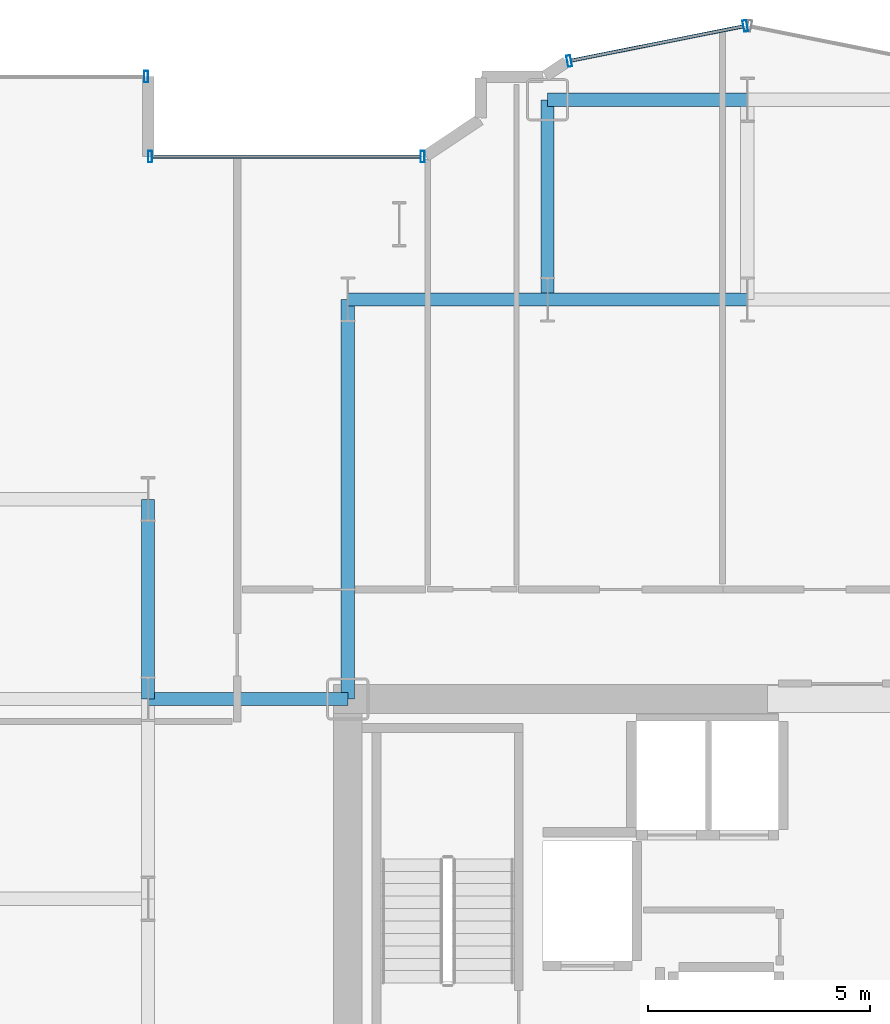
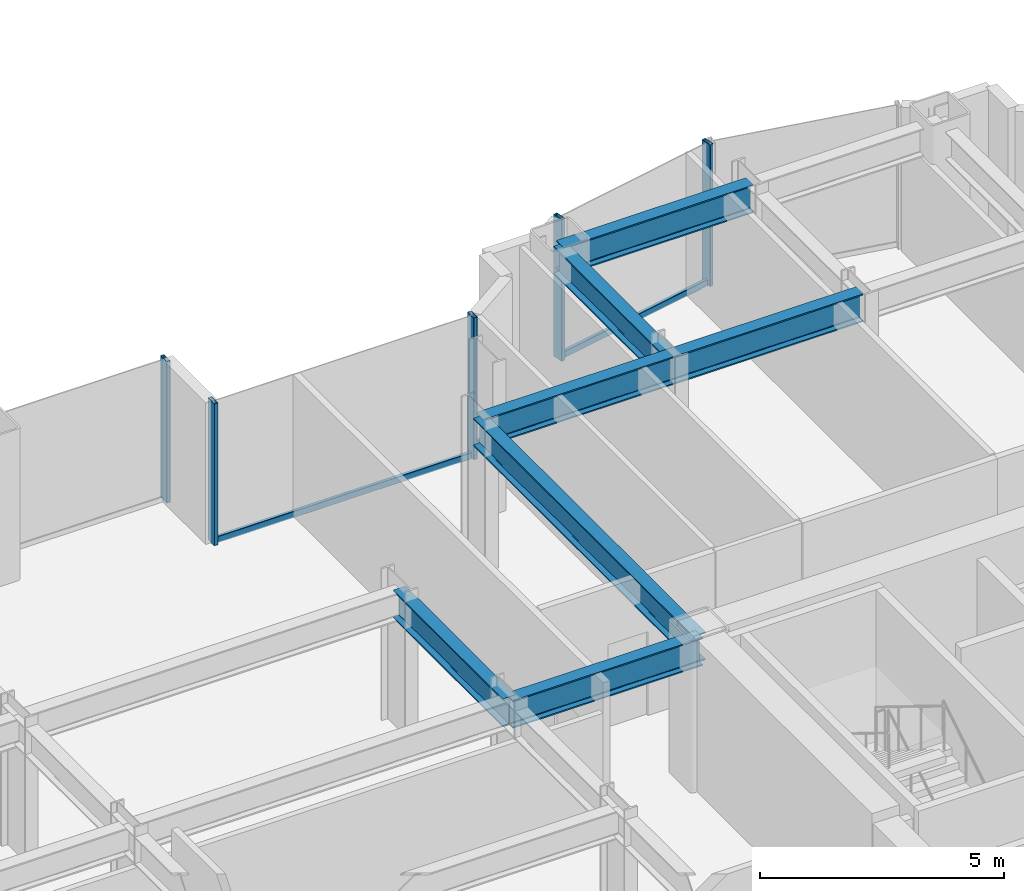
# One storey, part 10 of 26: 7 beams, 7 members, 3 elements without a shape of their own.
"""IFC4 building model written with IfcOpenShell, lengths in metres."""

from ifc_helpers import new_model, si_unit, direction, frame, origin, origin_2d, place, context, subcontext, project, spatial, hollow_rectangle, i_section, extrude, source, transform, mapped, material, layer, layer_set, material_profile, profile_set, type_object, element, aggregate, save


model = new_model("IFC4")

# Units and contexts
model_context = context("Model", 3, precision=1e-05, world=origin(), true_north=direction((0.0, 1.0)))
body_context = subcontext(model_context, "Body", "Model", "MODEL_VIEW")
ifc_project = project(units=[si_unit("LENGTHUNIT", "METRE"), si_unit("AREAUNIT", "SQUARE_METRE"), si_unit("VOLUMEUNIT", "CUBIC_METRE"), si_unit("PLANEANGLEUNIT", "RADIAN"), si_unit("MASSUNIT", "GRAM", prefix="KILO")], contexts=[model_context])

# Site, building, storey
site_placement = place(None, origin())
site = spatial("IfcSite", under=ifc_project, at=site_placement, CompositionType="ELEMENT")
building_placement = place(site_placement, origin())
building = spatial("IfcBuilding", under=site, at=building_placement, Name="Nefas-Gora Pilgrimage Tower", CompositionType="ELEMENT")
storey_placement = place(building_placement, frame((0.0, 0.0, 63.39990234375)))
storey = spatial("IfcBuildingStorey", under=building, at=storey_placement, Name="L14", CompositionType="ELEMENT", Elevation=63.39990234375)

# Beams
ifc_material_1 = material(Name="Steel S355", Category="steel")
ifc_material_profile_1 = material_profile(ifc_material_1, i_section(OverallWidth=0.300048828125, OverallDepth=0.699951171875, WebThickness=0.01708984375, FlangeThickness=0.031982421875, FilletRadius=0.027099609375, at=origin_2d()), Name="HEB 700")
ifc_profile_set_1 = profile_set([ifc_material_profile_1], Name="Steel S355")
beam_type = type_object("IfcBeamType", Name="BM-GIR-HEB700", PredefinedType="BEAM", material=ifc_profile_set_1)
shared_shape_1 = source(origin(), body_context, "Body", "SweptSolid", [
    extrude(i_section(OverallWidth=0.300048828125, OverallDepth=0.699951171875, WebThickness=0.01708984375, FlangeThickness=0.031982421875, FilletRadius=0.027099609375, at=origin_2d()), origin(), (0.0, 0.0, 1.0), 9.0),
])
beam_placement = place(storey_placement, frame((-11.25, 9.0, 3.2001953125), z_axis=(0.0, 1.0, 0.0), x_axis=(-1.0, 0.0, 0.0)))
element("IfcBeam", 1, at=beam_placement, inside=storey, type_object=beam_type, Name="L14 G-02 beam", PredefinedType="BEAM", context=body_context, shape_type="MappedRepresentation", body=[
    mapped(shared_shape_1, transform((0.0, 0.0, 0.0), x_axis=(1.0, 0.0, 0.0), y_axis=(0.0, 1.0, 0.0), z_axis=(0.0, 0.0, 1.0), scale=1.0)),
])
shared_shape_2 = source(origin(), body_context, "Body", "SweptSolid", [
    extrude(i_section(OverallWidth=0.300048828125, OverallDepth=0.699951171875, WebThickness=0.01708984375, FlangeThickness=0.031982421875, FilletRadius=0.027099609375, at=origin_2d()), origin(), (0.0, 0.0, 1.0), 4.5),
])
for number, where, z_axis, x_axis, name in (
    (2, (-15.75, 9.0, 3.2001953125), (0.0, 1.0, 0.0), (-1.0, 0.0, 0.0), "L14 G-02 beam"),
    (3, (-15.75, 9.0, 3.2001953125), (1.0, 0.0, 0.0), (0.0, 1.0, 0.0), "L14 G-02 beam"),
    (4, (-11.25, 18.0, 3.2001953125), (1.0, 0.0, 0.0), (0.0, 1.0, 0.0), "L14 G-02 beam"),
    (5, (-6.75, 18.0, 3.2001953125), (0.0, 1.0, 0.0), (-1.0, 0.0, 0.0), "L14 G-02 beam"),
    (6, (-6.75, 18.0, 3.2001953125), (1.0, 0.0, 0.0), (0.0, 1.0, 0.0), "L14 G-02 beam"),
    (7, (-6.75, 22.5, 3.2001953125), (1.0, 0.0, 0.0), (0.0, 1.0, 0.0), "L14 G-02 beam"),
):
    element("IfcBeam", number, at=place(storey_placement, frame(where, z_axis=z_axis, x_axis=x_axis)), inside=storey, type_object=beam_type, Name=name, PredefinedType="BEAM", context=body_context, shape_type="MappedRepresentation", body=[
        mapped(shared_shape_2, transform((0.0, 0.0, 0.0), x_axis=(1.0, 0.0, 0.0), y_axis=(0.0, 1.0, 0.0), z_axis=(0.0, 0.0, 1.0), scale=1.0)),
    ])

# Curtain wall, members
ifc_material_2 = material(Name="Dark ceramic-fritted solar-control aluminium-glass curtain wall", Category="aluminium")
ifc_layer_1 = layer(ifc_material_2, 0.219970703125)
ifc_layer_set_1 = layer_set([ifc_layer_1], Name="Dark ceramic-fritted solar-control aluminium-glass curtain wall")
curtain_wall_type_1 = type_object("IfcCurtainWallType", Name="CW-SYS-5", PredefinedType="NOTDEFINED", material=ifc_layer_set_1)
curtain_wall_1_placement = place(storey_placement, origin())
curtain_wall_1 = element("IfcCurtainWall", 8, at=curtain_wall_1_placement, inside=storey, type_object=curtain_wall_type_1, Name="L14 Unitised Curtain Wall CW5", PredefinedType="NOTDEFINED")
ifc_material_3 = material(Name="Anodised architectural aluminium", Category="aluminium")
ifc_material_profile_2 = material_profile(ifc_material_3, hollow_rectangle(XDim=0.090087890625, YDim=0.260009765625, WallThickness=0.006103515625, InnerFilletRadius=0.006103515625, OuterFilletRadius=0.011962890625, at=origin_2d()), Name="ALU MULLION 90x260")
ifc_profile_set_2 = profile_set([ifc_material_profile_2], Name="Anodised architectural aluminium")
member_type_1 = type_object("IfcMemberType", Name="CWM-MUL-5", PredefinedType="MULLION", material=ifc_profile_set_2)
shared_shape_3 = source(origin(), body_context, "Body", "SweptSolid", [
    extrude(hollow_rectangle(XDim=0.090087890625, YDim=0.260009765625, WallThickness=0.006103515625, InnerFilletRadius=0.006103515625, OuterFilletRadius=0.011962890625, at=origin_2d()), origin(), (0.0, 0.0, 1.0), 3.550048828125),
])
member_1_placement = place(storey_placement, frame((-2.294189453125, 24.16357421875, 0.0), z_axis=(0.0, 0.0, 1.0), x_axis=(-0.980782896852, -0.195102304554, 0.0)))
member_1 = element("IfcMember", 9, at=member_1_placement, type_object=member_type_1, Name="CW5 Mullion 1", PredefinedType="MULLION", context=body_context, shape_type="MappedRepresentation", body=[
    mapped(shared_shape_3, transform((0.0, 0.0, 0.0), x_axis=(1.0, 0.0, 0.0), y_axis=(0.0, 1.0, 0.0), z_axis=(0.0, 0.0, 1.0), scale=1.0)),
])
member_2_placement = place(storey_placement, frame((-6.26318359375, 23.3740234375, 0.0), z_axis=(0.0, 0.0, 1.0), x_axis=(-0.980782896852, -0.195102304554, 0.0)))
member_2 = element("IfcMember", 10, at=member_2_placement, type_object=member_type_1, Name="CW5 Mullion 2", PredefinedType="MULLION", context=body_context, shape_type="MappedRepresentation", body=[
    mapped(shared_shape_3, transform((0.0, 0.0, 0.0), x_axis=(1.0, 0.0, 0.0), y_axis=(0.0, 1.0, 0.0), z_axis=(0.0, 0.0, 1.0), scale=1.0)),
])

curtain_wall_2_placement = place(storey_placement, origin())
curtain_wall_2 = element("IfcCurtainWall", 11, at=curtain_wall_2_placement, inside=storey, type_object=curtain_wall_type_1, Name="L14 Unitised Curtain Wall CW5", PredefinedType="NOTDEFINED")
member_3_placement = place(storey_placement, frame((-9.56298828125, 21.219970703125, 0.0), z_axis=(0.0, 0.0, 1.0), x_axis=(-1.0, 0.0, 0.0)))
member_3 = element("IfcMember", 12, at=member_3_placement, type_object=member_type_1, Name="CW5 Mullion 1", PredefinedType="MULLION", context=body_context, shape_type="MappedRepresentation", body=[
    mapped(shared_shape_3, transform((0.0, 0.0, 0.0), x_axis=(1.0, 0.0, 0.0), y_axis=(0.0, 1.0, 0.0), z_axis=(0.0, 0.0, 1.0), scale=1.0)),
])
member_4_placement = place(storey_placement, frame((-15.705078125, 21.219970703125, 0.0), z_axis=(0.0, 0.0, 1.0), x_axis=(-1.0, 0.0, 0.0)))
member_4 = element("IfcMember", 13, at=member_4_placement, type_object=member_type_1, Name="CW5 Mullion 2", PredefinedType="MULLION", context=body_context, shape_type="MappedRepresentation", body=[
    mapped(shared_shape_3, transform((0.0, 0.0, 0.0), x_axis=(1.0, 0.0, 0.0), y_axis=(0.0, 1.0, 0.0), z_axis=(0.0, 0.0, 1.0), scale=1.0)),
])
ifc_material_profile_3 = material_profile(ifc_material_3, hollow_rectangle(XDim=0.080078125, YDim=0.159912109375, WallThickness=0.00439453125, InnerFilletRadius=0.00439453125, OuterFilletRadius=0.009033203125, at=origin_2d()), Name="ALU TRANSOM 80x160")
ifc_profile_set_3 = profile_set([ifc_material_profile_3], Name="Anodised architectural aluminium")
member_type_2 = type_object("IfcMemberType", Name="CWM-TRN-5", PredefinedType="USERDEFINED", material=ifc_profile_set_3)
shared_shape_4 = source(origin(), body_context, "Body", "SweptSolid", [
    extrude(hollow_rectangle(XDim=0.080078125, YDim=0.159912109375, WallThickness=0.00439453125, InnerFilletRadius=0.00439453125, OuterFilletRadius=0.009033203125, at=origin_2d()), origin(), (0.0, 0.0, 1.0), 6.052001953125),
])
member_5_placement = place(storey_placement, frame((-9.60791015625, 21.219970703125, 0.050048828125), z_axis=(-1.0, 0.0, 0.0), x_axis=(0.0, -1.0, 0.0)))
member_5 = element("IfcMember", 14, at=member_5_placement, type_object=member_type_2, Name="CW5 Spandrel Transom", ObjectType="TRANSOM", PredefinedType="USERDEFINED", context=body_context, shape_type="MappedRepresentation", body=[
    mapped(shared_shape_4, transform((0.0, 0.0, 0.0), x_axis=(1.0, 0.0, 0.0), y_axis=(0.0, 1.0, 0.0), z_axis=(0.0, 0.0, 1.0), scale=1.0)),
])
aggregate(curtain_wall_2, [member_3, member_4, member_5])

# Curtain wall, member
ifc_layer_2 = layer(ifc_material_2, 0.219970703125)
ifc_layer_set_2 = layer_set([ifc_layer_2], Name="Dark ceramic-fritted solar-control aluminium-glass curtain wall")
curtain_wall_type_2 = type_object("IfcCurtainWallType", Name="CW-SYS-2", PredefinedType="NOTDEFINED", material=ifc_layer_set_2)
curtain_wall_3_placement = place(storey_placement, origin())
curtain_wall_3 = element("IfcCurtainWall", 15, at=curtain_wall_3_placement, inside=storey, type_object=curtain_wall_type_2, Name="L14 Unitised Curtain Wall CW2", PredefinedType="NOTDEFINED")
ifc_material_profile_4 = material_profile(ifc_material_3, hollow_rectangle(XDim=0.090087890625, YDim=0.260009765625, WallThickness=0.006103515625, InnerFilletRadius=0.006103515625, OuterFilletRadius=0.011962890625, at=origin_2d()), Name="ALU MULLION 90x260")
ifc_profile_set_4 = profile_set([ifc_material_profile_4], Name="Anodised architectural aluminium")
member_type_3 = type_object("IfcMemberType", Name="CWM-MUL-2", PredefinedType="MULLION", material=ifc_profile_set_4)
shared_shape_5 = source(origin(), body_context, "Body", "SweptSolid", [
    extrude(hollow_rectangle(XDim=0.090087890625, YDim=0.260009765625, WallThickness=0.006103515625, InnerFilletRadius=0.006103515625, OuterFilletRadius=0.011962890625, at=origin_2d()), origin(), (0.0, 0.0, 1.0), 3.550048828125),
])
member_6_placement = place(storey_placement, frame((-15.794921875, 23.02001953125, 0.0), z_axis=(0.0, 0.0, 1.0), x_axis=(-1.0, 0.0, 0.0)))
member_6 = element("IfcMember", 16, at=member_6_placement, type_object=member_type_3, Name="CW2 Mullion 1", PredefinedType="MULLION", context=body_context, shape_type="MappedRepresentation", body=[
    mapped(shared_shape_5, transform((0.0, 0.0, 0.0), x_axis=(1.0, 0.0, 0.0), y_axis=(0.0, 1.0, 0.0), z_axis=(0.0, 0.0, 1.0), scale=1.0)),
])
aggregate(curtain_wall_3, [member_6])

# Member
shared_shape_6 = source(origin(), body_context, "Body", "SweptSolid", [
    extrude(hollow_rectangle(XDim=0.080078125, YDim=0.159912109375, WallThickness=0.00439453125, InnerFilletRadius=0.00439453125, OuterFilletRadius=0.009033203125, at=origin_2d()), origin(), (0.0, 0.0, 1.0), 3.95654296875),
])
member_7_placement = place(storey_placement, frame((-2.33837890625, 24.15478515625, 0.050048828125), z_axis=(-0.980781880918, -0.195107411605, 0.0), x_axis=(0.195107411605, -0.980781880918, 0.0)))
member_7 = element("IfcMember", 17, at=member_7_placement, type_object=member_type_2, Name="CW5 Spandrel Transom", ObjectType="TRANSOM", PredefinedType="USERDEFINED", context=body_context, shape_type="MappedRepresentation", body=[
    mapped(shared_shape_6, transform((0.0, 0.0, 0.0), x_axis=(1.0, 0.0, 0.0), y_axis=(0.0, 1.0, 0.0), z_axis=(0.0, 0.0, 1.0), scale=1.0)),
])

aggregate(curtain_wall_1, [member_1, member_2, member_7])

save(model, "model.ifc")
